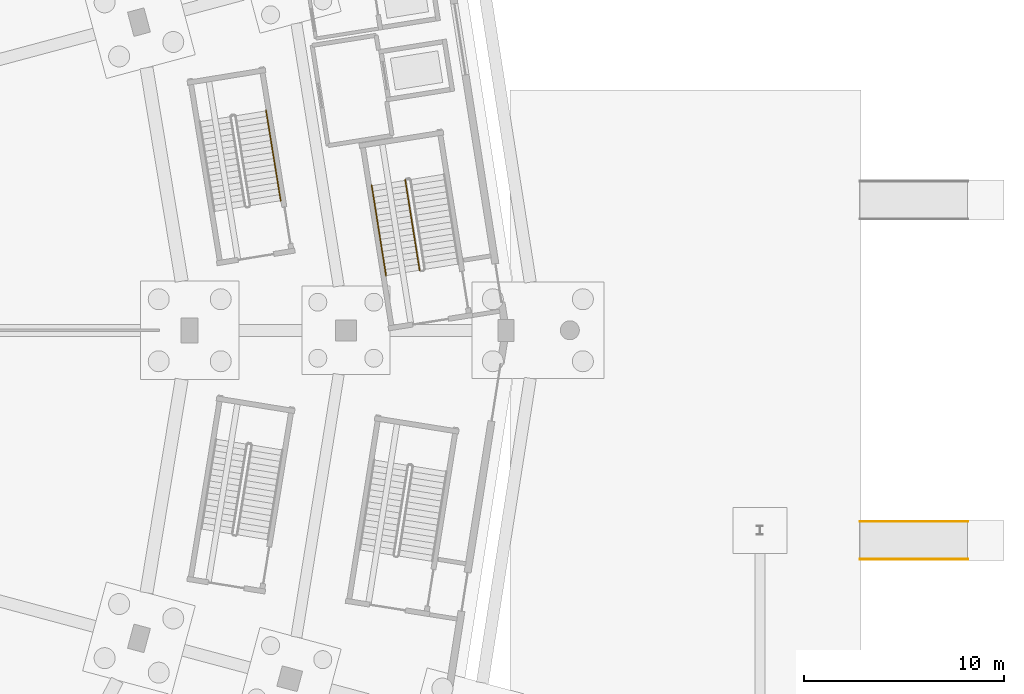
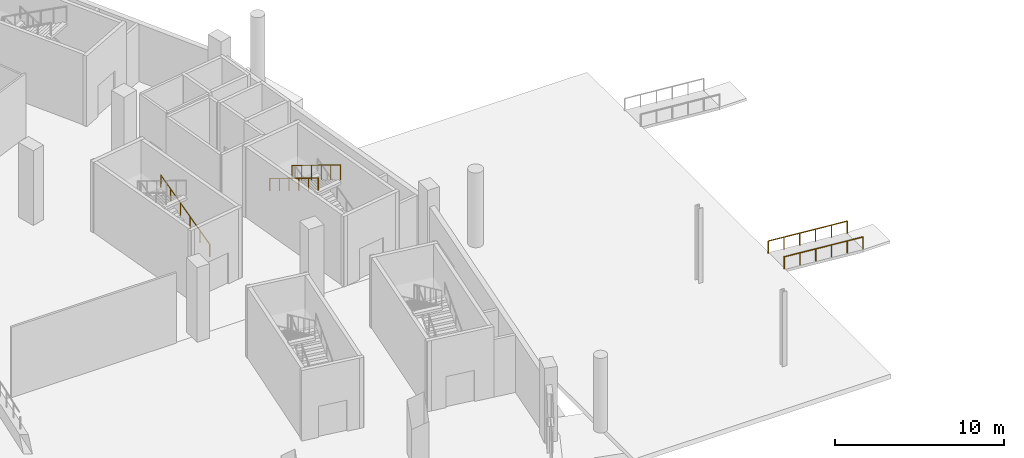
# One storey, part 81 of 103: 5 railings.
"""IFC4 building model written with IfcOpenShell, lengths in metres."""

from ifc_helpers import new_model, si_unit, direction, frame, origin, origin_2d, place, context, subcontext, project, spatial, circle, extrude, material, type_object, element, save


model = new_model("IFC4")

# Units and contexts
model_context = context("Model", 3, precision=1e-05, world=origin(), true_north=direction((0.0, 1.0)))
body_context = subcontext(model_context, "Body", "Model", "MODEL_VIEW")
ifc_project = project(units=[si_unit("LENGTHUNIT", "METRE"), si_unit("AREAUNIT", "SQUARE_METRE"), si_unit("VOLUMEUNIT", "CUBIC_METRE"), si_unit("PLANEANGLEUNIT", "RADIAN"), si_unit("MASSUNIT", "GRAM", prefix="KILO")], contexts=[model_context])

# Site, building, storey
site_placement = place(None, origin())
site = spatial("IfcSite", under=ifc_project, at=site_placement, CompositionType="ELEMENT")
building_placement = place(site_placement, origin())
building = spatial("IfcBuilding", under=site, at=building_placement, Name="Zevraka Park Crest Stadium", CompositionType="ELEMENT")
storey_placement = place(building_placement, origin())
storey = spatial("IfcBuildingStorey", under=building, at=storey_placement, Name="L00", CompositionType="ELEMENT", Elevation=0.0)

# Railings
ifc_material_1 = material(Name="Powder-coated tubular steel stairwell guard", Category="steel")
railing_type_1 = type_object("IfcRailingType", Name="GR03", PredefinedType="GUARDRAIL", material=ifc_material_1)
railing_1_placement = place(storey_placement, frame((197.270263671875, 99.516845703125, 2.86865234375)))
element("IfcRailing", 1, at=railing_1_placement, inside=storey, type_object=railing_type_1, Name="L00 ST01 stair guard 3", PredefinedType="GUARDRAIL", context=body_context, shape_type="SweptSolid", body=[
    extrude(circle(Radius=0.02392578125, at=origin_2d()), frame((0.0, 0.0, 1.076171875), z_axis=(0.137606314293, -0.864113489075, 0.484120212619), x_axis=(0.987556583672, 0.157264090137, 0.0)), (0.0, 0.0, 1.0), 5.228515625),
    extrude(circle(Radius=0.02099609375, at=origin_2d()), origin(), (0.0, 0.0, 1.0), 1.052001953125),
    extrude(circle(Radius=0.02099609375, at=origin_2d()), frame((0.143798828125, -0.903564453125, 0.50634765625)), (0.0, 0.0, 1.0), 1.052001953125),
    extrude(circle(Radius=0.02099609375, at=origin_2d()), frame((0.287841796875, -1.80712890625, 1.012451171875)), (0.0, 0.0, 1.0), 1.052001953125),
    extrude(circle(Radius=0.02099609375, at=origin_2d()), frame((0.431640625, -2.7109375, 1.518798828125)), (0.0, 0.0, 1.0), 1.052001953125),
    extrude(circle(Radius=0.02099609375, at=origin_2d()), frame((0.57568359375, -3.614501953125, 2.02490234375)), (0.0, 0.0, 1.0), 1.052001953125),
    extrude(circle(Radius=0.02099609375, at=origin_2d()), frame((0.719482421875, -4.51806640625, 2.53125)), (0.0, 0.0, 1.0), 1.052001953125),
])
ifc_material_2 = material(Name="Brushed stainless steel continuous handrail", Category="steel")
railing_type_2 = type_object("IfcRailingType", Name="HR01", PredefinedType="HANDRAIL", material=ifc_material_2)
railing_2_placement = place(storey_placement, frame((195.591552734375, 99.24951171875, 2.86865234375)))
element("IfcRailing", 2, at=railing_2_placement, inside=storey, type_object=railing_type_2, Name="L00 ST01 stair handrail 2", PredefinedType="HANDRAIL", context=body_context, shape_type="SweptSolid", body=[
    extrude(circle(Radius=0.02392578125, at=origin_2d()), frame((0.0, 0.0, 0.8759765625), z_axis=(0.137606314293, -0.864113489075, 0.484120212619), x_axis=(0.987556583672, 0.157264090137, 0.0)), (0.0, 0.0, 1.0), 5.228515625),
    extrude(circle(Radius=0.02099609375, at=origin_2d()), origin(), (0.0, 0.0, 1.0), 0.851806640625),
    extrude(circle(Radius=0.02099609375, at=origin_2d()), frame((0.143798828125, -0.903564453125, 0.50634765625)), (0.0, 0.0, 1.0), 0.851806640625),
    extrude(circle(Radius=0.02099609375, at=origin_2d()), frame((0.287841796875, -1.80712890625, 1.012451171875)), (0.0, 0.0, 1.0), 0.851806640625),
    extrude(circle(Radius=0.02099609375, at=origin_2d()), frame((0.431640625, -2.7109375, 1.518798828125)), (0.0, 0.0, 1.0), 0.851806640625),
    extrude(circle(Radius=0.02099609375, at=origin_2d()), frame((0.57568359375, -3.614501953125, 2.02490234375)), (0.0, 0.0, 1.0), 0.851806640625),
    extrude(circle(Radius=0.02099609375, at=origin_2d()), frame((0.719482421875, -4.51806640625, 2.53125)), (0.0, 0.0, 1.0), 0.851806640625),
])
railing_3_placement = place(storey_placement, frame((191.0478515625, 98.47607421875, 0.168701171875)))
element("IfcRailing", 3, at=railing_3_placement, inside=storey, type_object=railing_type_2, Name="L00 ST33 stair handrail 1", PredefinedType="HANDRAIL", context=body_context, shape_type="SweptSolid", body=[
    extrude(circle(Radius=0.02392578125, at=origin_2d()), frame((0.0, 0.0, 0.8759765625), z_axis=(-0.140592979981, 0.863635920866, 0.484114253219), x_axis=(-0.987007073121, -0.160676811049, 0.0)), (0.0, 0.0, 1.0), 5.228515625),
    extrude(circle(Radius=0.02099609375, at=origin_2d()), origin(), (0.0, 0.0, 1.0), 0.851806640625),
    extrude(circle(Radius=0.02099609375, at=origin_2d()), frame((-0.14697265625, 0.903076171875, 0.50634765625)), (0.0, 0.0, 1.0), 0.851806640625),
    extrude(circle(Radius=0.02099609375, at=origin_2d()), frame((-0.2939453125, 1.80615234375, 1.012451171875)), (0.0, 0.0, 1.0), 0.851806640625),
    extrude(circle(Radius=0.02099609375, at=origin_2d()), frame((-0.441162109375, 2.70947265625, 1.518798828125)), (0.0, 0.0, 1.0), 0.851806640625),
    extrude(circle(Radius=0.02099609375, at=origin_2d()), frame((-0.588134765625, 3.612548828125, 2.02490234375)), (0.0, 0.0, 1.0), 0.851806640625),
    extrude(circle(Radius=0.02099609375, at=origin_2d()), frame((-0.735107421875, 4.515625, 2.53125)), (0.0, 0.0, 1.0), 0.851806640625),
])
for number, where, name in (
    (4, (225.39990234375, 82.43994140625, -0.449951171875), "Accessible Ramp Handrail RM01-1"),
    (5, (225.39990234375, 80.56005859375, -0.449951171875), "Accessible Ramp Handrail RM01-2"),
):
    element("IfcRailing", number, at=place(storey_placement, frame(where)), inside=storey, type_object=railing_type_2, Name=name, PredefinedType="HANDRAIL", context=body_context, shape_type="SweptSolid", body=[
        extrude(circle(Radius=0.02392578125, at=origin_2d()), frame((0.0, 0.0, 0.8759765625), z_axis=(-0.996546379678, 0.0, 0.083038022323), x_axis=(0.0, -1.0, 0.0)), (0.0, 0.0, 1.0), 5.418701171875),
        extrude(circle(Radius=0.02099609375, at=origin_2d()), origin(), (0.0, 0.0, 1.0), 0.851806640625),
        extrude(circle(Radius=0.02099609375, at=origin_2d()), frame((-1.080078125, 0.0, 0.090087890625)), (0.0, 0.0, 1.0), 0.851806640625),
        extrude(circle(Radius=0.02099609375, at=origin_2d()), frame((-2.159912109375, 0.0, 0.179931640625)), (0.0, 0.0, 1.0), 0.851806640625),
        extrude(circle(Radius=0.02099609375, at=origin_2d()), frame((-3.239990234375, 0.0, 0.27001953125)), (0.0, 0.0, 1.0), 0.851806640625),
        extrude(circle(Radius=0.02099609375, at=origin_2d()), frame((-4.31982421875, 0.0, 0.35986328125)), (0.0, 0.0, 1.0), 0.851806640625),
        extrude(circle(Radius=0.02099609375, at=origin_2d()), frame((-5.39990234375, 0.0, 0.449951171875)), (0.0, 0.0, 1.0), 0.851806640625),
    ])

save(model, "model.ifc")
